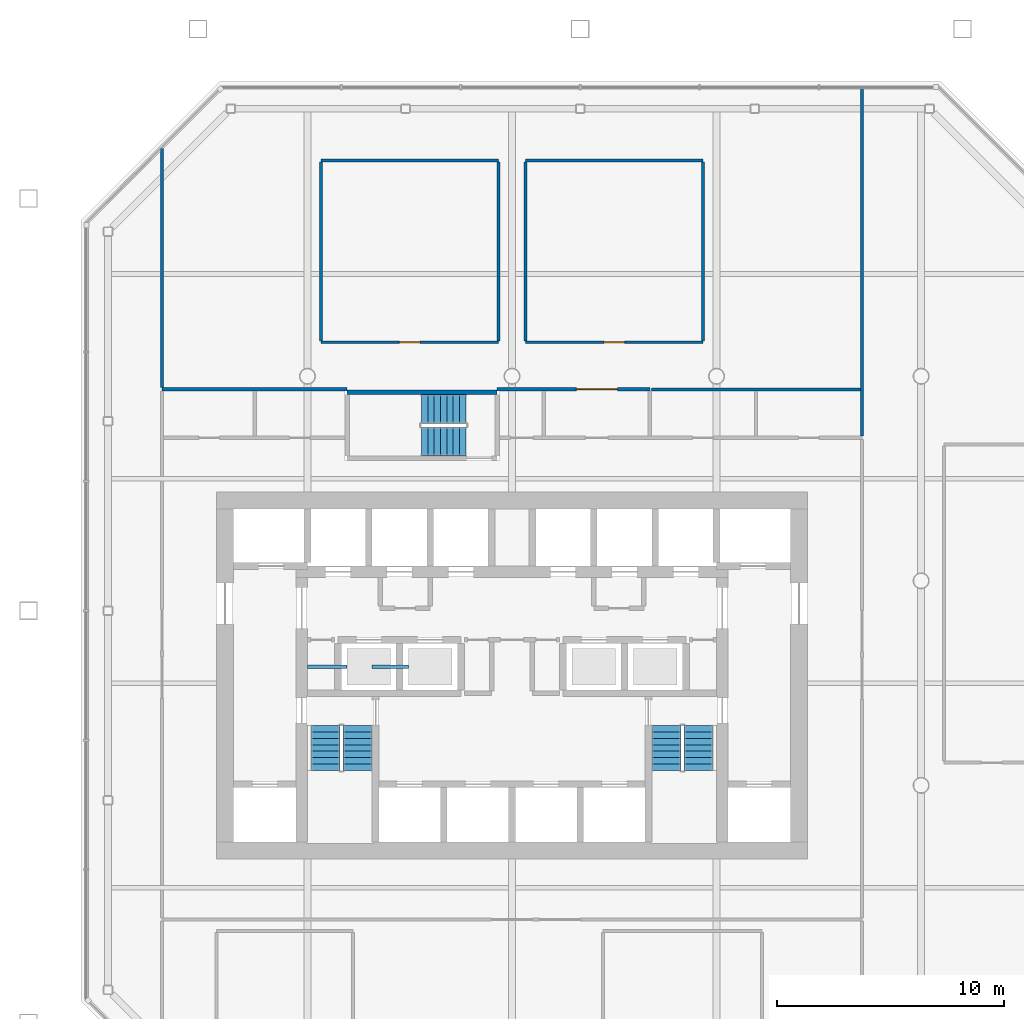
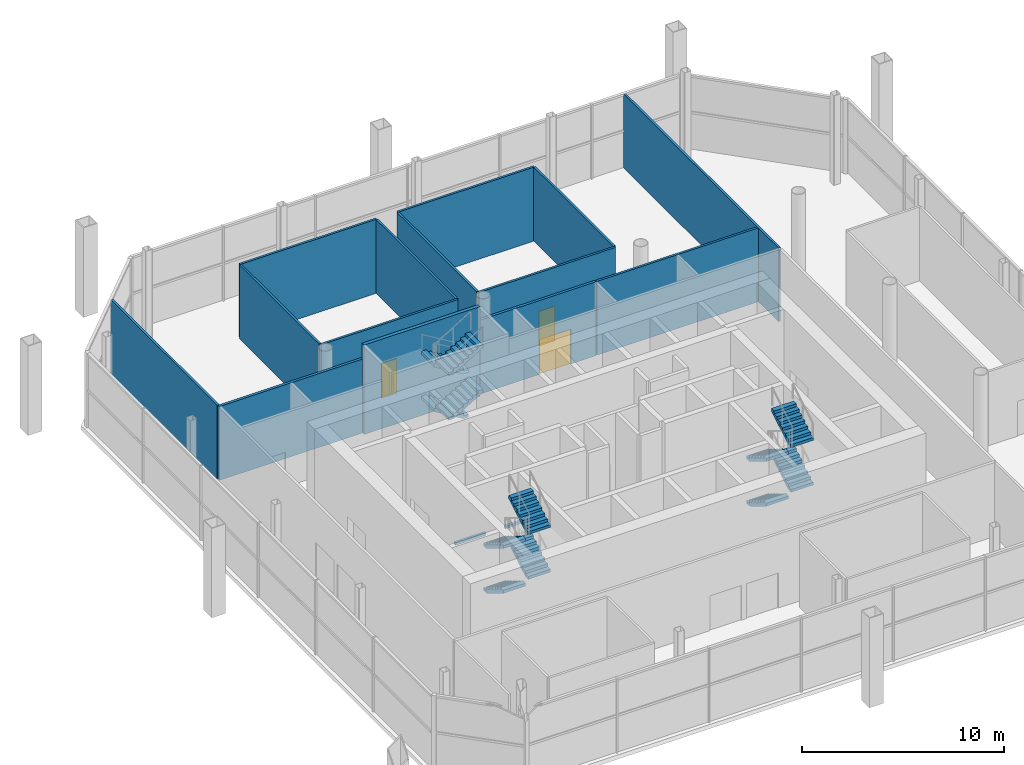
# One storey, part 10 of 12: 14 walls, 12 stair flights, 3 doors, 2 discrete accessories, 3 openings, 3 elements without a shape of their own.
"""IFC4 building model written with IfcOpenShell, lengths in metres."""

from ifc_helpers import new_model, si_unit, direction, frame, frame_2d, origin, origin_2d, place, context, subcontext, project, spatial, polyline, rectangle, outline, extrude, material, layer, layer_set, type_object, element, fill, aggregate, save


model = new_model("IFC4")

# Units and contexts
model_context = context("Model", 3, precision=1e-05, world=origin(), true_north=direction((0.0, 1.0)))
body_context = subcontext(model_context, "Body", "Model", "MODEL_VIEW")
ifc_project = project(units=[si_unit("LENGTHUNIT", "METRE"), si_unit("AREAUNIT", "SQUARE_METRE"), si_unit("VOLUMEUNIT", "CUBIC_METRE"), si_unit("PLANEANGLEUNIT", "RADIAN"), si_unit("MASSUNIT", "GRAM", prefix="KILO")], contexts=[model_context])

# Site, building, storey
site_placement = place(None, origin())
site = spatial("IfcSite", under=ifc_project, at=site_placement, CompositionType="ELEMENT")
building_placement = place(site_placement, origin())
building = spatial("IfcBuilding", under=site, at=building_placement, Name="Tskaro Facet Tower", CompositionType="ELEMENT")
storey_placement = place(building_placement, frame((0.0, 0.0, 162.300048828125)))
storey = spatial("IfcBuildingStorey", under=building, at=storey_placement, Name="L40", CompositionType="ELEMENT", Elevation=162.300048828125)

# Wall
ifc_material_1 = material(Name="Gypsum board on steel studs", Category="steel")
ifc_layer_1 = layer(ifc_material_1, 0.125, Name="Gypsum board on steel studs")
ifc_layer_set_1 = layer_set([ifc_layer_1], Name="Gypsum board on steel studs")
wall_type_1 = type_object("IfcWallType", Name="PART", PredefinedType="PARTITIONING", material=ifc_layer_set_1)
wall_1_placement = place(storey_placement, frame((6.14208984375, 8.425048828125, 0.0), z_axis=(0.0, 0.0, 1.0), x_axis=(1.0, 0.0, 0.0)))
element("IfcWall", 1, at=wall_1_placement, inside=storey, type_object=wall_type_1, Name="Partition W030", PredefinedType="PARTITIONING", context=body_context, shape_type="SweptSolid", body=[
    extrude(rectangle(XDim=9.1953125, YDim=0.125, at=frame_2d((4.59765625, 0.0))), origin(), (0.0, 0.0, 1.0), 4.4599609375),
])

# Wall, opening, door
wall_2_placement = place(storey_placement, frame((-8.39990234375, 10.5, 0.0), z_axis=(0.0, 0.0, 1.0), x_axis=(1.0, 0.0, 0.0)))
wall_2 = element("IfcWall", 2, at=wall_2_placement, inside=storey, type_object=wall_type_1, Name="Partition W031", PredefinedType="PARTITIONING", context=body_context, shape_type="SweptSolid", body=[
    extrude(rectangle(XDim=7.7998046875, YDim=0.125, at=frame_2d((3.89990234375, 0.0))), origin(), (0.0, 0.0, 1.0), 4.4599609375),
])
opening_1_placement = place(wall_2_placement, frame((3.449951171875, 0.0, 0.0)))
opening_1 = element("IfcOpeningElement", 3, at=opening_1_placement, cuts=wall_2, Name="Opening S40-D27", PredefinedType="OPENING", context=body_context, shape_type="SweptSolid", body=[
    extrude(rectangle(XDim=0.89990234375, YDim=2.10009765625, at=frame_2d((0.449951171875, 1.050048828125))), frame((0.0, 0.072509765625, 0.0), z_axis=(0.0, -1.0, 0.0), x_axis=(1.0, 0.0, 0.0)), (0.0, 0.0, 1.0), 0.14501953125),
])
ifc_material_2 = material(Name="Timber", Category="wood")
door_type_1 = type_object("IfcDoorType", Name="D-ROOM", OperationType="NOTDEFINED", PredefinedType="DOOR", material=ifc_material_2)
door_1_placement = place(opening_1_placement, origin())
door_1 = element("IfcDoor", 4, at=door_1_placement, inside=storey, type_object=door_type_1, Name="Door S40-D27", OperationType="SINGLE_SWING_LEFT", OverallHeight=2.10009765625, OverallWidth=0.89990234375, PredefinedType="DOOR", context=body_context, shape_type="SweptSolid", body=[
    extrude(rectangle(XDim=0.89990234375, YDim=2.10009765625, at=frame_2d((0.449951171875, 1.050048828125))), frame((0.0, 0.02490234375, 0.0), z_axis=(0.0, -1.0, 0.0), x_axis=(1.0, 0.0, 0.0)), (0.0, 0.0, 1.0), 0.050048828125),
])
fill(opening_1, door_1)

wall_3_placement = place(storey_placement, frame((0.60009765625, 10.5, 0.0), z_axis=(0.0, 0.0, 1.0), x_axis=(1.0, 0.0, 0.0)))
wall_3 = element("IfcWall", 5, at=wall_3_placement, inside=storey, type_object=wall_type_1, Name="Partition W032", PredefinedType="PARTITIONING", context=body_context, shape_type="SweptSolid", body=[
    extrude(rectangle(XDim=7.7998046875, YDim=0.125, at=frame_2d((3.89990234375, 0.0))), origin(), (0.0, 0.0, 1.0), 4.4599609375),
])
opening_2_placement = place(wall_3_placement, frame((3.449951171875, 0.0, 0.0)))
opening_2 = element("IfcOpeningElement", 6, at=opening_2_placement, cuts=wall_3, Name="Opening S40-D28", PredefinedType="OPENING", context=body_context, shape_type="SweptSolid", body=[
    extrude(rectangle(XDim=0.89990234375, YDim=2.10009765625, at=frame_2d((0.449951171875, 1.050048828125))), frame((0.0, 0.072509765625, 0.0), z_axis=(0.0, -1.0, 0.0), x_axis=(1.0, 0.0, 0.0)), (0.0, 0.0, 1.0), 0.14501953125),
])
door_2_placement = place(opening_2_placement, origin())
door_2 = element("IfcDoor", 7, at=door_2_placement, inside=storey, type_object=door_type_1, Name="Door S40-D28", OperationType="SINGLE_SWING_LEFT", OverallHeight=2.10009765625, OverallWidth=0.89990234375, PredefinedType="DOOR", context=body_context, shape_type="SweptSolid", body=[
    extrude(rectangle(XDim=0.89990234375, YDim=2.10009765625, at=frame_2d((0.449951171875, 1.050048828125))), frame((0.0, 0.02490234375, 0.0), z_axis=(0.0, -1.0, 0.0), x_axis=(1.0, 0.0, 0.0)), (0.0, 0.0, 1.0), 0.050048828125),
])
fill(opening_2, door_2)

# Walls
for number, where, z_axis, x_axis, name in (
    (8, (-8.39990234375, 18.5, 0.0), (0.0, 0.0, 1.0), (1.0, 0.0, 0.0), "Partition W033"),
    (9, (0.60009765625, 18.5, 0.0), (0.0, 0.0, 1.0), (1.0, 0.0, 0.0), "Partition W034"),
):
    element("IfcWall", number, at=place(storey_placement, frame(where, z_axis=z_axis, x_axis=x_axis)), inside=storey, type_object=wall_type_1, Name=name, PredefinedType="PARTITIONING", context=body_context, shape_type="SweptSolid", body=[
        extrude(rectangle(XDim=7.7998046875, YDim=0.125, at=frame_2d((3.89990234375, 0.0))), origin(), (0.0, 0.0, 1.0), 4.4599609375),
    ])
wall_4_placement = place(storey_placement, frame((-15.39990234375, 8.5, 0.0), z_axis=(0.0, 0.0, 1.0), x_axis=(0.0, 1.0, 0.0)))
element("IfcWall", 10, at=wall_4_placement, inside=storey, type_object=wall_type_1, Name="Partition W038", PredefinedType="PARTITIONING", context=body_context, shape_type="SweptSolid", body=[
    extrude(rectangle(XDim=10.514892578125, YDim=0.125, at=frame_2d((5.25732421875, 0.0))), origin(), (0.0, 0.0, 1.0), 4.4599609375),
])
for number, where, z_axis, x_axis, name in (
    (11, (-8.39990234375, 10.5625, 0.0), (0.0, 0.0, 1.0), (0.0, 1.0, 0.0), "Partition W042"),
    (12, (-0.60009765625, 10.5625, 0.0), (0.0, 0.0, 1.0), (0.0, 1.0, 0.0), "Partition W057"),
    (13, (0.60009765625, 10.5625, 0.0), (0.0, 0.0, 1.0), (0.0, 1.0, 0.0), "Partition W059"),
    (14, (8.39990234375, 10.5625, 0.0), (0.0, 0.0, 1.0), (0.0, 1.0, 0.0), "Partition W074"),
):
    element("IfcWall", number, at=place(storey_placement, frame(where, z_axis=z_axis, x_axis=x_axis)), inside=storey, type_object=wall_type_1, Name=name, PredefinedType="PARTITIONING", context=body_context, shape_type="SweptSolid", body=[
        extrude(rectangle(XDim=7.875, YDim=0.125, at=frame_2d((3.9375, 0.0))), origin(), (0.0, 0.0, 1.0), 4.4599609375),
    ])
wall_5_placement = place(storey_placement, frame((15.39990234375, 6.375, 0.0), z_axis=(0.0, 0.0, 1.0), x_axis=(0.0, 1.0, 0.0)))
element("IfcWall", 15, at=wall_5_placement, inside=storey, type_object=wall_type_1, Name="Partition W080", PredefinedType="PARTITIONING", context=body_context, shape_type="SweptSolid", body=[
    extrude(rectangle(XDim=15.299072265625, YDim=0.125, at=frame_2d((7.6494140625, 0.0))), origin(), (0.0, 0.0, 1.0), 4.4599609375),
])
ifc_layer_2 = layer(ifc_material_1, 0.14990234375, Name="Gypsum board on steel studs")
ifc_layer_set_2 = layer_set([ifc_layer_2], Name="Gypsum board on steel studs")
wall_type_2 = type_object("IfcWallType", Name="PART-CORR", PredefinedType="PARTITIONING", material=ifc_layer_set_2)
wall_6_placement = place(storey_placement, frame((-15.39990234375, 8.425048828125, 0.0), z_axis=(0.0, 0.0, 1.0), x_axis=(1.0, 0.0, 0.0)))
element("IfcWall", 16, at=wall_6_placement, inside=storey, type_object=wall_type_2, Name="Corridor wall W028", PredefinedType="PARTITIONING", context=body_context, shape_type="SweptSolid", body=[
    extrude(rectangle(XDim=8.14990234375, YDim=0.14990234375, at=frame_2d((4.074951171875, 0.0))), origin(), (0.0, 0.0, 1.0), 4.4599609375),
])

# Wall, opening, door
wall_7_placement = place(storey_placement, frame((-0.64990234375, 8.425048828125, 0.0), z_axis=(0.0, 0.0, 1.0), x_axis=(1.0, 0.0, 0.0)))
wall_7 = element("IfcWall", 17, at=wall_7_placement, inside=storey, type_object=wall_type_2, Name="Corridor wall W029", PredefinedType="PARTITIONING", context=body_context, shape_type="SweptSolid", body=[
    extrude(rectangle(XDim=6.716796875, YDim=0.14990234375, at=frame_2d((3.3583984375, 0.0))), origin(), (0.0, 0.0, 1.0), 4.4599609375),
])
opening_3_placement = place(wall_7_placement, frame((3.4833984375, 0.0, 0.0)))
opening_3 = element("IfcOpeningElement", 18, at=opening_3_placement, cuts=wall_7, Name="Opening S40-D26", PredefinedType="OPENING", context=body_context, shape_type="SweptSolid", body=[
    extrude(rectangle(XDim=1.800048828125, YDim=2.10009765625, at=frame_2d((0.89990234375, 1.050048828125))), frame((0.0, 0.0849609375, 0.0), z_axis=(0.0, -1.0, 0.0), x_axis=(1.0, 0.0, 0.0)), (0.0, 0.0, 1.0), 0.169921875),
])
ifc_material_3 = material(Name="Glass", Category="glass")
door_type_2 = type_object("IfcDoorType", Name="D-ENTRY-PAIR", OperationType="NOTDEFINED", PredefinedType="DOOR", material=ifc_material_3)
door_3_placement = place(opening_3_placement, origin())
door_3 = element("IfcDoor", 19, at=door_3_placement, inside=storey, type_object=door_type_2, Name="Door S40-D26", OperationType="DOUBLE_DOOR_SINGLE_SWING", OverallHeight=2.10009765625, OverallWidth=1.800048828125, PredefinedType="DOOR", context=body_context, shape_type="SweptSolid", body=[
    extrude(rectangle(XDim=1.800048828125, YDim=2.10009765625, at=frame_2d((0.89990234375, 1.050048828125))), frame((0.0, 0.02490234375, 0.0), z_axis=(0.0, -1.0, 0.0), x_axis=(1.0, 0.0, 0.0)), (0.0, 0.0, 1.0), 0.050048828125),
])
fill(opening_3, door_3)

# Wall
ifc_material_4 = material(Name="Concrete C60/75", Category="concrete")
ifc_layer_3 = layer(ifc_material_4, 0.199951171875, Name="Concrete C60/75")
ifc_layer_set_3 = layer_set([ifc_layer_3], Name="Concrete C60/75")
wall_type_3 = type_object("IfcWallType", Name="STAIR-WALL", PredefinedType="SHEAR", material=ifc_layer_set_3)
wall_8_placement = place(storey_placement, frame((-7.25, 8.300048828125, 0.0), z_axis=(0.0, 0.0, 1.0), x_axis=(1.0, 0.0, 0.0)))
element("IfcWall", 20, at=wall_8_placement, inside=storey, type_object=wall_type_3, Name="Stair wall W027", PredefinedType="SHEAR", context=body_context, shape_type="SweptSolid", body=[
    extrude(rectangle(XDim=6.60009765625, YDim=0.199951171875, at=frame_2d((3.300048828125, 0.0))), origin(), (0.0, 0.0, 1.0), 5.39990234375),
])

# Stair, stair flights
ifc_material_5 = material(Name="Concrete C40/50", Category="concrete")
stair_type = type_object("IfcStairType", Name="ST-TWR", PredefinedType="HALF_TURN_STAIR", material=ifc_material_5)
stair_1_placement = place(storey_placement, origin())
stair_1 = element("IfcStair", 21, at=stair_1_placement, inside=storey, type_object=stair_type, Name="L40 Exit stair 1", PredefinedType="HALF_TURN_STAIR")
stair_flight_type = type_object("IfcStairFlightType", Name="SFL-RC", PredefinedType="STRAIGHT", material=ifc_material_5)
stair_flight_1_placement = place(storey_placement, frame((-8.21240234375, -6.375, 0.0), z_axis=(0.0, 0.0, 1.0), x_axis=(0.0, -1.0, 0.0)))
stair_flight_1 = element("IfcStairFlight", 22, at=stair_flight_1_placement, type_object=stair_flight_type, Name="ST-1 flight 1", NumberOfRisers=8, NumberOfTreads=7, PredefinedType="STRAIGHT", RiserHeight=0.16875, TreadLength=0.28, context=body_context, shape_type="SweptSolid", body=[
    extrude(outline(polyline([(0.0, 0.0), (0.0, 0.168701171875), (0.280029296875, 0.168701171875), (0.280029296875, 0.33740234375), (0.56005859375, 0.33740234375), (0.56005859375, 0.50634765625), (0.840087890625, 0.50634765625), (0.840087890625, 0.675048828125), (1.1201171875, 0.675048828125), (1.1201171875, 0.84375), (1.39990234375, 0.84375), (1.39990234375, 1.012451171875), (1.679931640625, 1.012451171875), (1.679931640625, 1.18115234375), (1.9599609375, 1.18115234375), (1.9599609375, 1.35009765625), (1.9599609375, 1.00634765625), (0.29052734375, 0.0), (0.0, 0.0)])), frame((0.0, 0.637451171875, 0.0), z_axis=(0.0, -1.0, 0.0), x_axis=(1.0, 0.0, 0.0)), (0.0, 0.0, 1.0), 1.27490234375),
])
stair_flight_2_placement = place(storey_placement, frame((-6.78759765625, -8.3349609375, 1.349853515625), z_axis=(0.0, 0.0, 1.0), x_axis=(0.0, 1.0, 0.0)))
stair_flight_2 = element("IfcStairFlight", 23, at=stair_flight_2_placement, type_object=stair_flight_type, Name="ST-1 flight 2", NumberOfRisers=8, NumberOfTreads=7, PredefinedType="STRAIGHT", RiserHeight=0.16875, TreadLength=0.28, context=body_context, shape_type="SweptSolid", body=[
    extrude(outline(polyline([(0.0, 0.0), (0.0, 0.168701171875), (0.280029296875, 0.168701171875), (0.280029296875, 0.33740234375), (0.56005859375, 0.33740234375), (0.56005859375, 0.50634765625), (0.840087890625, 0.50634765625), (0.840087890625, 0.675048828125), (1.1201171875, 0.675048828125), (1.1201171875, 0.84375), (1.39990234375, 0.84375), (1.39990234375, 1.012451171875), (1.679931640625, 1.012451171875), (1.679931640625, 1.18115234375), (1.9599609375, 1.18115234375), (1.9599609375, 1.35009765625), (1.9599609375, 1.00634765625), (0.29052734375, 0.0), (0.0, 0.0)])), frame((0.0, 0.637451171875, 0.0), z_axis=(0.0, -1.0, 0.0), x_axis=(1.0, 0.0, 0.0)), (0.0, 0.0, 1.0), 1.27490234375),
])
stair_flight_3_placement = place(storey_placement, frame((-8.21240234375, -6.375, 2.699951171875), z_axis=(0.0, 0.0, 1.0), x_axis=(0.0, -1.0, 0.0)))
stair_flight_3 = element("IfcStairFlight", 24, at=stair_flight_3_placement, type_object=stair_flight_type, Name="ST-1 flight 3", NumberOfRisers=8, NumberOfTreads=7, PredefinedType="STRAIGHT", RiserHeight=0.16875, TreadLength=0.28, context=body_context, shape_type="SweptSolid", body=[
    extrude(outline(polyline([(0.0, 0.0), (0.0, 0.168701171875), (0.280029296875, 0.168701171875), (0.280029296875, 0.33740234375), (0.56005859375, 0.33740234375), (0.56005859375, 0.50634765625), (0.840087890625, 0.50634765625), (0.840087890625, 0.675048828125), (1.1201171875, 0.675048828125), (1.1201171875, 0.84375), (1.39990234375, 0.84375), (1.39990234375, 1.012451171875), (1.679931640625, 1.012451171875), (1.679931640625, 1.18115234375), (1.9599609375, 1.18115234375), (1.9599609375, 1.35009765625), (1.9599609375, 1.00634765625), (0.29052734375, 0.0), (0.0, 0.0)])), frame((0.0, 0.637451171875, 0.0), z_axis=(0.0, -1.0, 0.0), x_axis=(1.0, 0.0, 0.0)), (0.0, 0.0, 1.0), 1.27490234375),
])
stair_flight_4_placement = place(storey_placement, frame((-6.78759765625, -8.3349609375, 4.050048828125), z_axis=(0.0, 0.0, 1.0), x_axis=(0.0, 1.0, 0.0)))
stair_flight_4 = element("IfcStairFlight", 25, at=stair_flight_4_placement, type_object=stair_flight_type, Name="ST-1 flight 4", NumberOfRisers=8, NumberOfTreads=7, PredefinedType="STRAIGHT", RiserHeight=0.16875, TreadLength=0.28, context=body_context, shape_type="SweptSolid", body=[
    extrude(outline(polyline([(0.0, 0.0), (0.0, 0.168701171875), (0.280029296875, 0.168701171875), (0.280029296875, 0.33740234375), (0.56005859375, 0.33740234375), (0.56005859375, 0.50634765625), (0.840087890625, 0.50634765625), (0.840087890625, 0.675048828125), (1.1201171875, 0.675048828125), (1.1201171875, 0.84375), (1.39990234375, 0.84375), (1.39990234375, 1.012451171875), (1.679931640625, 1.012451171875), (1.679931640625, 1.18115234375), (1.9599609375, 1.18115234375), (1.9599609375, 1.35009765625), (1.9599609375, 1.00634765625), (0.29052734375, 0.0), (0.0, 0.0)])), frame((0.0, 0.637451171875, 0.0), z_axis=(0.0, -1.0, 0.0), x_axis=(1.0, 0.0, 0.0)), (0.0, 0.0, 1.0), 1.27490234375),
])
aggregate(stair_1, [stair_flight_1, stair_flight_2, stair_flight_3, stair_flight_4])

stair_2_placement = place(storey_placement, origin())
stair_2 = element("IfcStair", 26, at=stair_2_placement, inside=storey, type_object=stair_type, Name="L40 Exit stair 2", PredefinedType="HALF_TURN_STAIR")
stair_flight_5_placement = place(storey_placement, frame((6.78759765625, -6.375, 0.0), z_axis=(0.0, 0.0, 1.0), x_axis=(0.0, -1.0, 0.0)))
stair_flight_5 = element("IfcStairFlight", 27, at=stair_flight_5_placement, type_object=stair_flight_type, Name="ST-2 flight 1", NumberOfRisers=8, NumberOfTreads=7, PredefinedType="STRAIGHT", RiserHeight=0.16875, TreadLength=0.28, context=body_context, shape_type="SweptSolid", body=[
    extrude(outline(polyline([(0.0, 0.0), (0.0, 0.168701171875), (0.280029296875, 0.168701171875), (0.280029296875, 0.33740234375), (0.56005859375, 0.33740234375), (0.56005859375, 0.50634765625), (0.840087890625, 0.50634765625), (0.840087890625, 0.675048828125), (1.1201171875, 0.675048828125), (1.1201171875, 0.84375), (1.39990234375, 0.84375), (1.39990234375, 1.012451171875), (1.679931640625, 1.012451171875), (1.679931640625, 1.18115234375), (1.9599609375, 1.18115234375), (1.9599609375, 1.35009765625), (1.9599609375, 1.00634765625), (0.29052734375, 0.0), (0.0, 0.0)])), frame((0.0, 0.637451171875, 0.0), z_axis=(0.0, -1.0, 0.0), x_axis=(1.0, 0.0, 0.0)), (0.0, 0.0, 1.0), 1.27490234375),
])
stair_flight_6_placement = place(storey_placement, frame((8.21240234375, -8.3349609375, 1.349853515625), z_axis=(0.0, 0.0, 1.0), x_axis=(0.0, 1.0, 0.0)))
stair_flight_6 = element("IfcStairFlight", 28, at=stair_flight_6_placement, type_object=stair_flight_type, Name="ST-2 flight 2", NumberOfRisers=8, NumberOfTreads=7, PredefinedType="STRAIGHT", RiserHeight=0.16875, TreadLength=0.28, context=body_context, shape_type="SweptSolid", body=[
    extrude(outline(polyline([(0.0, 0.0), (0.0, 0.168701171875), (0.280029296875, 0.168701171875), (0.280029296875, 0.33740234375), (0.56005859375, 0.33740234375), (0.56005859375, 0.50634765625), (0.840087890625, 0.50634765625), (0.840087890625, 0.675048828125), (1.1201171875, 0.675048828125), (1.1201171875, 0.84375), (1.39990234375, 0.84375), (1.39990234375, 1.012451171875), (1.679931640625, 1.012451171875), (1.679931640625, 1.18115234375), (1.9599609375, 1.18115234375), (1.9599609375, 1.35009765625), (1.9599609375, 1.00634765625), (0.29052734375, 0.0), (0.0, 0.0)])), frame((0.0, 0.637451171875, 0.0), z_axis=(0.0, -1.0, 0.0), x_axis=(1.0, 0.0, 0.0)), (0.0, 0.0, 1.0), 1.27490234375),
])
stair_flight_7_placement = place(storey_placement, frame((6.78759765625, -6.375, 2.699951171875), z_axis=(0.0, 0.0, 1.0), x_axis=(0.0, -1.0, 0.0)))
stair_flight_7 = element("IfcStairFlight", 29, at=stair_flight_7_placement, type_object=stair_flight_type, Name="ST-2 flight 3", NumberOfRisers=8, NumberOfTreads=7, PredefinedType="STRAIGHT", RiserHeight=0.16875, TreadLength=0.28, context=body_context, shape_type="SweptSolid", body=[
    extrude(outline(polyline([(0.0, 0.0), (0.0, 0.168701171875), (0.280029296875, 0.168701171875), (0.280029296875, 0.33740234375), (0.56005859375, 0.33740234375), (0.56005859375, 0.50634765625), (0.840087890625, 0.50634765625), (0.840087890625, 0.675048828125), (1.1201171875, 0.675048828125), (1.1201171875, 0.84375), (1.39990234375, 0.84375), (1.39990234375, 1.012451171875), (1.679931640625, 1.012451171875), (1.679931640625, 1.18115234375), (1.9599609375, 1.18115234375), (1.9599609375, 1.35009765625), (1.9599609375, 1.00634765625), (0.29052734375, 0.0), (0.0, 0.0)])), frame((0.0, 0.637451171875, 0.0), z_axis=(0.0, -1.0, 0.0), x_axis=(1.0, 0.0, 0.0)), (0.0, 0.0, 1.0), 1.27490234375),
])
stair_flight_8_placement = place(storey_placement, frame((8.21240234375, -8.3349609375, 4.050048828125), z_axis=(0.0, 0.0, 1.0), x_axis=(0.0, 1.0, 0.0)))
stair_flight_8 = element("IfcStairFlight", 30, at=stair_flight_8_placement, type_object=stair_flight_type, Name="ST-2 flight 4", NumberOfRisers=8, NumberOfTreads=7, PredefinedType="STRAIGHT", RiserHeight=0.16875, TreadLength=0.28, context=body_context, shape_type="SweptSolid", body=[
    extrude(outline(polyline([(0.0, 0.0), (0.0, 0.168701171875), (0.280029296875, 0.168701171875), (0.280029296875, 0.33740234375), (0.56005859375, 0.33740234375), (0.56005859375, 0.50634765625), (0.840087890625, 0.50634765625), (0.840087890625, 0.675048828125), (1.1201171875, 0.675048828125), (1.1201171875, 0.84375), (1.39990234375, 0.84375), (1.39990234375, 1.012451171875), (1.679931640625, 1.012451171875), (1.679931640625, 1.18115234375), (1.9599609375, 1.18115234375), (1.9599609375, 1.35009765625), (1.9599609375, 1.00634765625), (0.29052734375, 0.0), (0.0, 0.0)])), frame((0.0, 0.637451171875, 0.0), z_axis=(0.0, -1.0, 0.0), x_axis=(1.0, 0.0, 0.0)), (0.0, 0.0, 1.0), 1.27490234375),
])
aggregate(stair_2, [stair_flight_5, stair_flight_6, stair_flight_7, stair_flight_8])

stair_3_placement = place(storey_placement, origin())
stair_3 = element("IfcStair", 31, at=stair_3_placement, inside=storey, type_object=stair_type, Name="L40 Exit stair 3", PredefinedType="HALF_TURN_STAIR")
stair_flight_9_placement = place(storey_placement, frame((-2.02490234375, 7.5625, 0.0), z_axis=(0.0, 0.0, 1.0), x_axis=(-1.0, 0.0, 0.0)))
stair_flight_9 = element("IfcStairFlight", 32, at=stair_flight_9_placement, type_object=stair_flight_type, Name="ST-3 flight 1", NumberOfRisers=8, NumberOfTreads=7, PredefinedType="STRAIGHT", RiserHeight=0.16875, TreadLength=0.28, context=body_context, shape_type="SweptSolid", body=[
    extrude(outline(polyline([(0.0, 0.0), (0.0, 0.168701171875), (0.280029296875, 0.168701171875), (0.280029296875, 0.33740234375), (0.56005859375, 0.33740234375), (0.56005859375, 0.50634765625), (0.840087890625, 0.50634765625), (0.840087890625, 0.675048828125), (1.1201171875, 0.675048828125), (1.1201171875, 0.84375), (1.39990234375, 0.84375), (1.39990234375, 1.012451171875), (1.679931640625, 1.012451171875), (1.679931640625, 1.18115234375), (1.9599609375, 1.18115234375), (1.9599609375, 1.35009765625), (1.9599609375, 1.00634765625), (0.29052734375, 0.0), (0.0, 0.0)])), frame((0.0, 0.637451171875, 0.0), z_axis=(0.0, -1.0, 0.0), x_axis=(1.0, 0.0, 0.0)), (0.0, 0.0, 1.0), 1.27490234375),
])
stair_flight_10_placement = place(storey_placement, frame((-3.985107421875, 6.137451171875, 1.349853515625), z_axis=(0.0, 0.0, 1.0), x_axis=(1.0, 0.0, 0.0)))
stair_flight_10 = element("IfcStairFlight", 33, at=stair_flight_10_placement, type_object=stair_flight_type, Name="ST-3 flight 2", NumberOfRisers=8, NumberOfTreads=7, PredefinedType="STRAIGHT", RiserHeight=0.16875, TreadLength=0.28, context=body_context, shape_type="SweptSolid", body=[
    extrude(outline(polyline([(0.0, 0.0), (0.0, 0.168701171875), (0.280029296875, 0.168701171875), (0.280029296875, 0.33740234375), (0.56005859375, 0.33740234375), (0.56005859375, 0.50634765625), (0.840087890625, 0.50634765625), (0.840087890625, 0.675048828125), (1.1201171875, 0.675048828125), (1.1201171875, 0.84375), (1.39990234375, 0.84375), (1.39990234375, 1.012451171875), (1.679931640625, 1.012451171875), (1.679931640625, 1.18115234375), (1.9599609375, 1.18115234375), (1.9599609375, 1.35009765625), (1.9599609375, 1.00634765625), (0.29052734375, 0.0), (0.0, 0.0)])), frame((0.0, 0.637451171875, 0.0), z_axis=(0.0, -1.0, 0.0), x_axis=(1.0, 0.0, 0.0)), (0.0, 0.0, 1.0), 1.27490234375),
])
stair_flight_11_placement = place(storey_placement, frame((-2.02490234375, 7.5625, 2.699951171875), z_axis=(0.0, 0.0, 1.0), x_axis=(-1.0, 0.0, 0.0)))
stair_flight_11 = element("IfcStairFlight", 34, at=stair_flight_11_placement, type_object=stair_flight_type, Name="ST-3 flight 3", NumberOfRisers=8, NumberOfTreads=7, PredefinedType="STRAIGHT", RiserHeight=0.16875, TreadLength=0.28, context=body_context, shape_type="SweptSolid", body=[
    extrude(outline(polyline([(0.0, 0.0), (0.0, 0.168701171875), (0.280029296875, 0.168701171875), (0.280029296875, 0.33740234375), (0.56005859375, 0.33740234375), (0.56005859375, 0.50634765625), (0.840087890625, 0.50634765625), (0.840087890625, 0.675048828125), (1.1201171875, 0.675048828125), (1.1201171875, 0.84375), (1.39990234375, 0.84375), (1.39990234375, 1.012451171875), (1.679931640625, 1.012451171875), (1.679931640625, 1.18115234375), (1.9599609375, 1.18115234375), (1.9599609375, 1.35009765625), (1.9599609375, 1.00634765625), (0.29052734375, 0.0), (0.0, 0.0)])), frame((0.0, 0.637451171875, 0.0), z_axis=(0.0, -1.0, 0.0), x_axis=(1.0, 0.0, 0.0)), (0.0, 0.0, 1.0), 1.27490234375),
])
stair_flight_12_placement = place(storey_placement, frame((-3.985107421875, 6.137451171875, 4.050048828125), z_axis=(0.0, 0.0, 1.0), x_axis=(1.0, 0.0, 0.0)))
stair_flight_12 = element("IfcStairFlight", 35, at=stair_flight_12_placement, type_object=stair_flight_type, Name="ST-3 flight 4", NumberOfRisers=8, NumberOfTreads=7, PredefinedType="STRAIGHT", RiserHeight=0.16875, TreadLength=0.28, context=body_context, shape_type="SweptSolid", body=[
    extrude(outline(polyline([(0.0, 0.0), (0.0, 0.168701171875), (0.280029296875, 0.168701171875), (0.280029296875, 0.33740234375), (0.56005859375, 0.33740234375), (0.56005859375, 0.50634765625), (0.840087890625, 0.50634765625), (0.840087890625, 0.675048828125), (1.1201171875, 0.675048828125), (1.1201171875, 0.84375), (1.39990234375, 0.84375), (1.39990234375, 1.012451171875), (1.679931640625, 1.012451171875), (1.679931640625, 1.18115234375), (1.9599609375, 1.18115234375), (1.9599609375, 1.35009765625), (1.9599609375, 1.00634765625), (0.29052734375, 0.0), (0.0, 0.0)])), frame((0.0, 0.637451171875, 0.0), z_axis=(0.0, -1.0, 0.0), x_axis=(1.0, 0.0, 0.0)), (0.0, 0.0, 1.0), 1.27490234375),
])
aggregate(stair_3, [stair_flight_9, stair_flight_10, stair_flight_11, stair_flight_12])

# Discrete accessories
discrete_accessory_1_placement = place(storey_placement, frame((-8.125, -3.77490234375, 1.22509765625), z_axis=(0.0, 0.0, 1.0), x_axis=(1.0, 0.0, 0.0)))
element("IfcDiscreteAccessory", 36, at=discrete_accessory_1_placement, inside=storey, Name="Car guide bracket HB1", PredefinedType="BRACKET", context=body_context, shape_type="SweptSolid", body=[
    extrude(rectangle(XDim=1.75, YDim=0.14990234375, at=origin_2d()), origin(), (0.0, 0.0, 1.0), 0.14990234375),
])
discrete_accessory_2_placement = place(storey_placement, frame((-5.35009765625, -3.77490234375, 1.22509765625), z_axis=(0.0, 0.0, 1.0), x_axis=(1.0, 0.0, 0.0)))
element("IfcDiscreteAccessory", 37, at=discrete_accessory_2_placement, inside=storey, Name="Car guide bracket HB2", PredefinedType="BRACKET", context=body_context, shape_type="SweptSolid", body=[
    extrude(rectangle(XDim=1.60009765625, YDim=0.14990234375, at=origin_2d()), origin(), (0.0, 0.0, 1.0), 0.14990234375),
])

save(model, "model.ifc")
